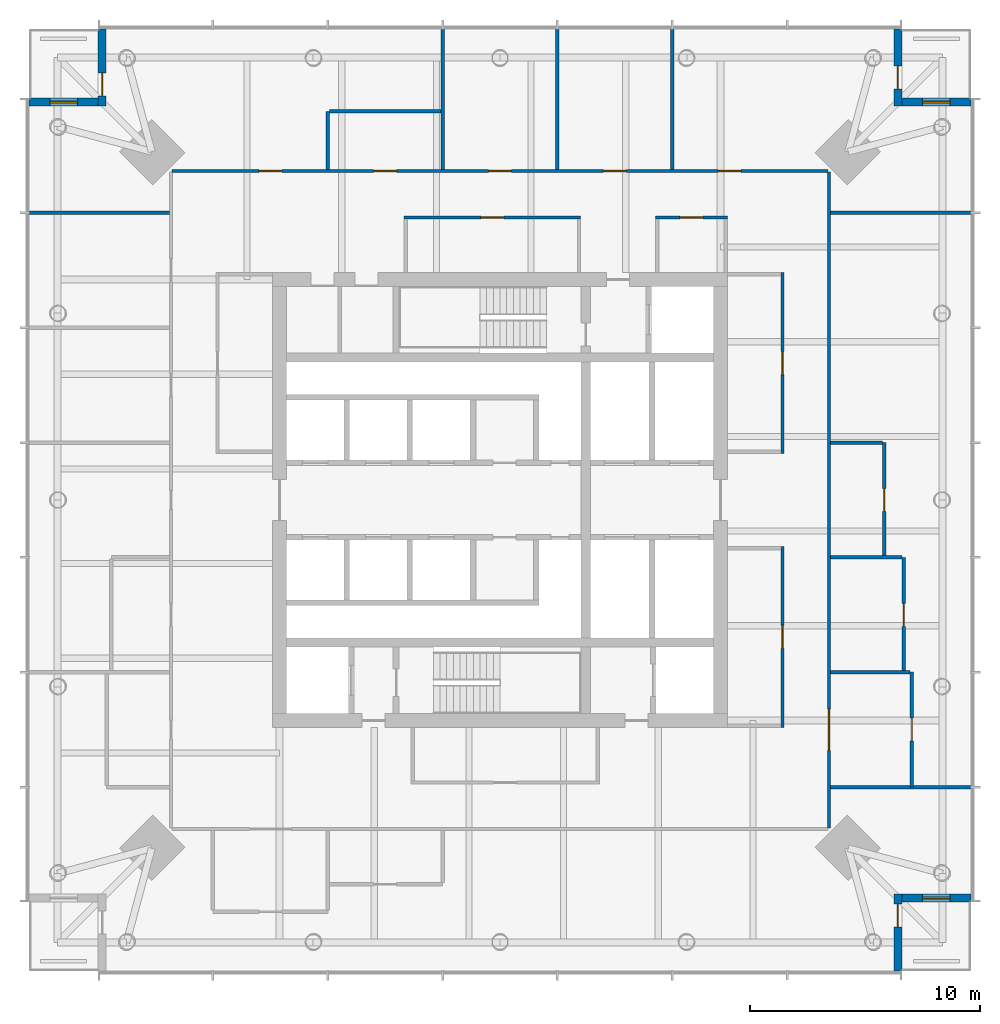
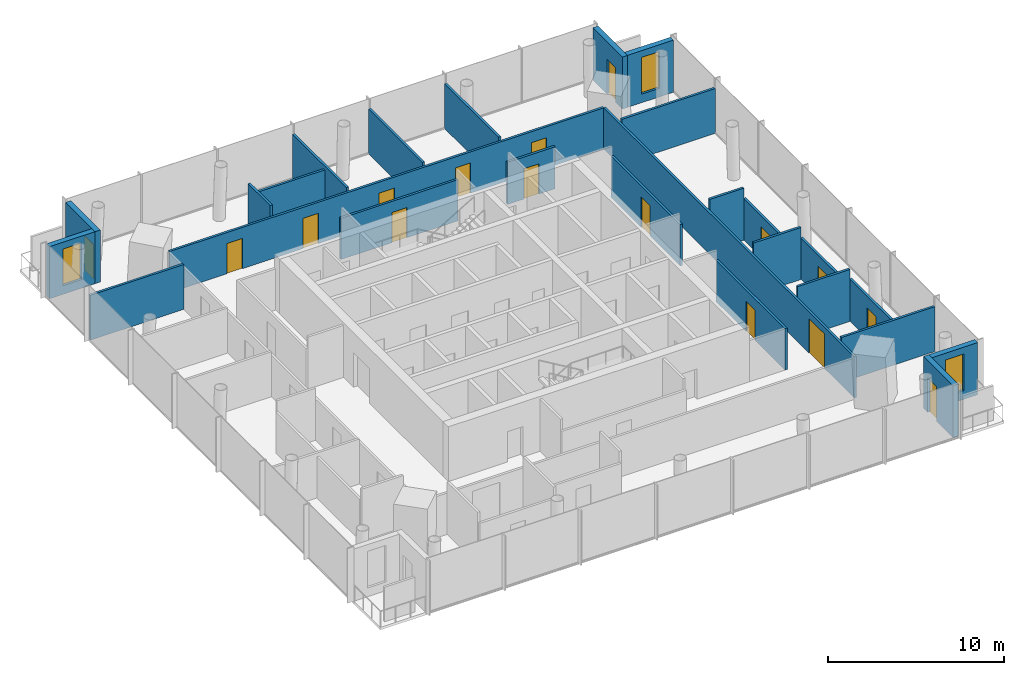
# One storey, part 6 of 8: 26 walls, 16 doors, 3 windows, 19 openings.
"""IFC4 building model written with IfcOpenShell, lengths in metres."""

import ifcopenshell
import ifcopenshell.guid

model = None  # the IFC model being written
_history = None  # IfcOwnerHistory: only IFC2X3 demands one
_inside = {}  # id of a spatial element -> (the spatial element, [elements in it])
_under = {}  # id of a project, library or spatial element -> (it, [spatial elements below it])
_declared = {}  # id of a project -> (the project, [libraries it declares])
_typed = {}  # id of a type object -> (the type object, [elements of that type])
_made_of = {}  # id of a material, layer set ... -> (it, [elements and type objects made of it])


def new_model(schema):
    """Start an empty IFC model of exactly this schema.

    Asked for "IFC4X3", IfcOpenShell would pick the latest addendum, in which some entities
    have other attributes; the version numbers below select the first issue.
    IFC2X3 requires an IfcOwnerHistory on every rooted entity: one is made here for all.
    """
    global model, _history
    if schema == "IFC4X3":
        model = ifcopenshell.file(schema_version=(4, 3, 0, 0))
    else:
        model = ifcopenshell.file(schema=schema)
    _inside.clear()
    _under.clear()
    _declared.clear()
    _typed.clear()
    _made_of.clear()
    _history = None
    if model.schema == "IFC2X3":
        org = make("IfcOrganization", Name="unknown")
        user = make(
            "IfcPersonAndOrganization",
            ThePerson=make("IfcPerson", FamilyName="unknown"),
            TheOrganization=org,
        )
        app = make(
            "IfcApplication",
            ApplicationDeveloper=org,
            Version="unknown",
            ApplicationFullName="unknown",
            ApplicationIdentifier="unknown",
        )
        _history = make(
            "IfcOwnerHistory",
            OwningUser=user,
            OwningApplication=app,
            ChangeAction="ADDED",
            CreationDate=0,
        )
    return model


def make(cls, **values):
    """One entity of the class cls with the attributes given. An attribute that is None is left unset."""
    return model.create_entity(
        cls, **{name: value for name, value in values.items() if value is not None}
    )


def rooted(cls, **values):
    """An entity with a GlobalId (a new one), such as an element, a storey or a relation."""
    return make(cls, GlobalId=ifcopenshell.guid.new(), OwnerHistory=_history, **values)


def si_unit(unit_type, name, prefix=None):
    """IfcSIUnit, for example si_unit("LENGTHUNIT", "METRE", prefix="MILLI")."""
    return make("IfcSIUnit", UnitType=unit_type, Prefix=prefix, Name=name)


def assignment(units):
    """IfcUnitAssignment: the units of a project."""
    return None if units is None else make("IfcUnitAssignment", Units=units)


def point(xyz):
    """IfcCartesianPoint."""
    return None if xyz is None else make("IfcCartesianPoint", Coordinates=xyz)


def direction(xyz):
    """IfcDirection."""
    return None if xyz is None else make("IfcDirection", DirectionRatios=xyz)


def frame(location, z_axis=None, x_axis=None):
    """IfcAxis2Placement3D, a coordinate frame: its origin and axes. An axis left out is left unset."""
    return make(
        "IfcAxis2Placement3D",
        Location=point(location),
        Axis=direction(z_axis),
        RefDirection=direction(x_axis),
    )


def frame_2d(location, x_axis=None):
    """IfcAxis2Placement2D, a coordinate frame in the plane: its origin and x axis."""
    return make(
        "IfcAxis2Placement2D", Location=point(location), RefDirection=direction(x_axis)
    )


def origin():
    """The frame at (0, 0, 0) with its axes left unset."""
    return frame((0.0, 0.0, 0.0))


def place(relative_to, where):
    """IfcLocalPlacement: puts the frame where relative to a parent placement (None: the world)."""
    return make(
        "IfcLocalPlacement", PlacementRelTo=relative_to, RelativePlacement=where
    )


def context(
    kind, dimensions, precision=None, world=None, true_north=None, identifier=None
):
    """IfcGeometricRepresentationContext, for example the 3D "Model" context."""
    return make(
        "IfcGeometricRepresentationContext",
        ContextIdentifier=identifier,
        ContextType=kind,
        CoordinateSpaceDimension=dimensions,
        Precision=precision,
        WorldCoordinateSystem=world,
        TrueNorth=true_north,
    )


def subcontext(parent, identifier, kind, view, scale=None):
    """IfcGeometricRepresentationSubContext, for example "Body" below "Model"."""
    return make(
        "IfcGeometricRepresentationSubContext",
        ContextIdentifier=identifier,
        ContextType=kind,
        ParentContext=parent,
        TargetScale=scale,
        TargetView=view,
    )


def project(units=None, contexts=None):
    """IfcProject with its units and contexts."""
    return rooted(
        "IfcProject",
        Name="project",
        RepresentationContexts=contexts,
        UnitsInContext=assignment(units),
    )


def spatial(cls, under=None, at=None, **own):
    """A site, building, storey or space (cls), placed at a placement, below another one or the project."""
    s = rooted(cls, ObjectPlacement=at, **own)
    if under is not None:
        _under.setdefault(under.id(), (under, []))[1].append(s)
    return s


def profile(cls, at=None, kind="AREA", **sizes):
    """A parametric profile (cls). Its sizes go by their IFC names, for example OverallWidth=200.0."""
    return make(cls, ProfileType=kind, Position=at, **sizes)


def rectangle(**sizes):
    """IfcRectangleProfileDef."""
    return profile("IfcRectangleProfileDef", **sizes)


def extrude(swept, where, along, depth):
    """IfcExtrudedAreaSolid: the profile swept, set in the frame where, extruded along a direction by depth."""
    return make(
        "IfcExtrudedAreaSolid",
        SweptArea=swept,
        Position=where,
        ExtrudedDirection=direction(along),
        Depth=depth,
    )


def shape(context_of_items, identifier, shape_type, items):
    """IfcShapeRepresentation: the items that make up one representation, for example the "Body"."""
    return make(
        "IfcShapeRepresentation",
        ContextOfItems=context_of_items,
        RepresentationIdentifier=identifier,
        RepresentationType=shape_type,
        Items=items,
    )


def material(Name=None, Category=None):
    """IfcMaterial."""
    return make("IfcMaterial", Name=Name, Category=Category)


def layer(
    of_material, thickness, ventilated=None, Name=None, Category=None, Priority=None
):
    """IfcMaterialLayer: one layer of a wall or slab, of a material (None: an air gap)."""
    return make(
        "IfcMaterialLayer",
        Material=of_material,
        LayerThickness=thickness,
        IsVentilated=ventilated,
        Name=Name,
        Category=Category,
        Priority=Priority,
    )


def layer_set(layers, Name=None):
    """IfcMaterialLayerSet."""
    return make("IfcMaterialLayerSet", MaterialLayers=layers, LayerSetName=Name)


def made_of(thing, what):
    """Note that an element or type object is made of a material, layer set ...; save() writes the relation."""
    if what is not None:
        _made_of.setdefault(what.id(), (what, []))[1].append(thing)
    return thing


def type_object(cls, material=None, **own):
    """A type object (cls), such as IfcWallType, which elements share."""
    return made_of(rooted(cls, **own), material)


def element(
    cls,
    number,
    at=None,
    inside=None,
    cuts=None,
    type_object=None,
    material=None,
    context=None,
    identifier="Body",
    shape_type=None,
    held_by="IfcProductDefinitionShape",
    body=None,
    shapes=None,
    **own,
):
    """One element of the class cls, such as IfcWall. Its Tag is "e" and its number.

    at: its placement. inside: the storey or other place that contains it. cuts: it is an
    opening in that element (IfcRelVoidsElement). A single representation is given by context,
    identifier, shape_type and body (its items); several are given by shapes. held_by: the class
    of the entity that holds the representations. save() writes the other relations.
    """
    e = rooted(cls, Tag="e%d" % number, ObjectPlacement=at, **own)
    if body is not None:
        shapes = [shape(context, identifier, shape_type, body)]
    if shapes is not None:
        e.Representation = make(held_by, Representations=shapes)
    if inside is not None:
        _inside.setdefault(inside.id(), (inside, []))[1].append(e)
    if cuts is not None:
        rooted(
            "IfcRelVoidsElement", RelatingBuildingElement=cuts, RelatedOpeningElement=e
        )
    if type_object is not None:
        _typed.setdefault(type_object.id(), (type_object, []))[1].append(e)
    return made_of(e, material)


def fill(opening, filler):
    """IfcRelFillsElement: the door or window that sits in an opening."""
    return rooted(
        "IfcRelFillsElement",
        RelatingOpeningElement=opening,
        RelatedBuildingElement=filler,
    )


def aggregate(whole, parts):
    """IfcRelAggregates: a whole, such as a stair, and the parts it consists of."""
    return rooted("IfcRelAggregates", RelatingObject=whole, RelatedObjects=parts)


def save(model, path):
    """Write the relations noted so far, then the file.

    IfcRelAggregates (storeys below a building ...), IfcRelContainedInSpatialStructure (elements
    in a storey), IfcRelDefinesByType, IfcRelAssociatesMaterial and IfcRelDeclares: one each for
    every whole, place, type object, material and project.
    """
    for whole, parts in _under.values():
        aggregate(whole, parts)
    for where, things in _inside.values():
        rooted(
            "IfcRelContainedInSpatialStructure",
            RelatedElements=things,
            RelatingStructure=where,
        )
    for kind, things in _typed.values():
        rooted("IfcRelDefinesByType", RelatedObjects=things, RelatingType=kind)
    for what, things in _made_of.values():
        rooted("IfcRelAssociatesMaterial", RelatedObjects=things, RelatingMaterial=what)
    for by, libraries in _declared.values():
        rooted("IfcRelDeclares", RelatingContext=by, RelatedDefinitions=libraries)
    model.write(path)


model = new_model("IFC4")

# Units and contexts
model_context = context("Model", 3, precision=1e-05, world=origin(), true_north=direction((0.0, 1.0)))
body_context = subcontext(model_context, "Body", "Model", "MODEL_VIEW")
ifc_project = project(units=[si_unit("LENGTHUNIT", "METRE"), si_unit("AREAUNIT", "SQUARE_METRE"), si_unit("VOLUMEUNIT", "CUBIC_METRE"), si_unit("PLANEANGLEUNIT", "RADIAN"), si_unit("MASSUNIT", "GRAM", prefix="KILO")], contexts=[model_context])

# Site, building, storey
site_placement = place(None, origin())
site = spatial("IfcSite", under=ifc_project, at=site_placement, CompositionType="ELEMENT")
building_placement = place(site_placement, origin())
building = spatial("IfcBuilding", under=site, at=building_placement, Name="Ostroluk Exchange", CompositionType="ELEMENT")
storey_placement = place(building_placement, frame((0.0, 0.0, 169.199951171875)))
storey = spatial("IfcBuildingStorey", under=building, at=storey_placement, Name="L43", CompositionType="ELEMENT", Elevation=169.199951171875)

# Wall, opening, door
ifc_material_1 = material(Name="Limestone", Category="masonry")
ifc_layer_1 = layer(ifc_material_1, 0.35009765625)
ifc_layer_set_1 = layer_set([ifc_layer_1], Name="Limestone facade wall 350")
wall_type_1 = type_object("IfcWallType", Name="Limestone facade wall 350", PredefinedType="SOLIDWALL", material=ifc_layer_set_1)
wall_1_placement = place(storey_placement, frame((62.324951171875, 25.5, 0.0), z_axis=(0.0, 0.0, 1.0), x_axis=(0.0, 1.0, 0.0)))
wall_1 = element("IfcWall", 1, at=wall_1_placement, inside=storey, type_object=wall_type_1, Name="Office tower SE corner wall L43 a", PredefinedType="SOLIDWALL", context=body_context, shape_type="SweptSolid", body=[
    extrude(rectangle(XDim=3.35009765625, YDim=0.35009765625, at=frame_2d((1.675048828125, 0.0))), origin(), (0.0, 0.0, 1.0), 3.6201171875),
])
opening_1_placement = place(wall_1_placement, frame((1.89990234375, 0.0, 0.0)))
opening_1 = element("IfcOpeningElement", 2, at=opening_1_placement, cuts=wall_1, Name="Opening D-B1", PredefinedType="OPENING", context=body_context, shape_type="SweptSolid", body=[
    extrude(rectangle(XDim=1.0, YDim=2.39990234375, at=frame_2d((0.5, 1.199951171875))), frame((0.0, 0.18505859375, 0.0), z_axis=(0.0, -1.0, 0.0), x_axis=(1.0, 0.0, 0.0)), (0.0, 0.0, 1.0), 0.3701171875),
])
ifc_material_2 = material(Name="Bronze framed glazed door", Category="aluminium")
door_type_1 = type_object("IfcDoorType", Name="Balcony door 1000 x 2400", OperationType="SINGLE_SWING_LEFT", PredefinedType="DOOR", material=ifc_material_2)
door_1_placement = place(opening_1_placement, origin())
door_1 = element("IfcDoor", 3, at=door_1_placement, inside=storey, type_object=door_type_1, Name="Office tower SE balcony door L43", OperationType="SINGLE_SWING_RIGHT", OverallHeight=2.39990234375, OverallWidth=1.0, PredefinedType="DOOR", context=body_context, shape_type="SweptSolid", body=[
    extrude(rectangle(XDim=1.0, YDim=2.39990234375, at=frame_2d((0.5, 1.199951171875))), frame((0.0, 0.02490234375, 0.0), z_axis=(0.0, -1.0, 0.0), x_axis=(1.0, 0.0, 0.0)), (0.0, 0.0, 1.0), 0.050048828125),
])
fill(opening_1, door_1)

# Wall, opening, window
wall_2_placement = place(storey_placement, frame((62.5, 28.675048828125, 0.0), z_axis=(0.0, 0.0, 1.0), x_axis=(1.0, 0.0, 0.0)))
wall_2 = element("IfcWall", 4, at=wall_2_placement, inside=storey, type_object=wall_type_1, Name="Office tower SE corner wall L43 b", PredefinedType="SOLIDWALL", context=body_context, shape_type="SweptSolid", body=[
    extrude(rectangle(XDim=3.0, YDim=0.35009765625, at=frame_2d((1.5, 0.0))), origin(), (0.0, 0.0, 1.0), 3.6201171875),
])
opening_2_placement = place(wall_2_placement, frame((0.89990234375, 0.0, 0.60009765625)))
opening_2 = element("IfcOpeningElement", 5, at=opening_2_placement, cuts=wall_2, Name="Opening WN-L1", PredefinedType="OPENING", context=body_context, shape_type="SweptSolid", body=[
    extrude(rectangle(XDim=1.199951171875, YDim=2.550048828125, at=frame_2d((0.60009765625, 1.27490234375))), frame((0.0, 0.18505859375, 0.0), z_axis=(0.0, -1.0, 0.0), x_axis=(1.0, 0.0, 0.0)), (0.0, 0.0, 1.0), 0.3701171875),
])
ifc_material_3 = material(Name="Laminated clear glass", Category="glass")
window_type = type_object("IfcWindowType", Name="Lancet window 1200 x 2550", PartitioningType="SINGLE_PANEL", PredefinedType="WINDOW", material=ifc_material_3)
window_1_placement = place(opening_2_placement, origin())
window_1 = element("IfcWindow", 6, at=window_1_placement, inside=storey, type_object=window_type, Name="Office tower SE lancet window L43", OverallHeight=2.550048828125, OverallWidth=1.199951171875, PartitioningType="SINGLE_PANEL", PredefinedType="WINDOW", context=body_context, shape_type="SweptSolid", body=[
    extrude(rectangle(XDim=1.199951171875, YDim=2.550048828125, at=frame_2d((0.60009765625, 1.27490234375))), frame((0.0, 0.030029296875, 0.0), z_axis=(0.0, -1.0, 0.0), x_axis=(1.0, 0.0, 0.0)), (0.0, 0.0, 1.0), 0.06005859375),
])
fill(opening_2, window_1)

# Wall, opening, door
wall_3_placement = place(storey_placement, frame((62.324951171875, 66.5, 0.0), z_axis=(0.0, 0.0, 1.0), x_axis=(0.0, -1.0, 0.0)))
wall_3 = element("IfcWall", 7, at=wall_3_placement, inside=storey, type_object=wall_type_1, Name="Office tower NE corner wall L43 a", PredefinedType="SOLIDWALL", context=body_context, shape_type="SweptSolid", body=[
    extrude(rectangle(XDim=3.35009765625, YDim=0.35009765625, at=frame_2d((1.675048828125, 0.0))), origin(), (0.0, 0.0, 1.0), 3.6201171875),
])
opening_3_placement = place(wall_3_placement, frame((1.60009765625, 0.0, 0.0)))
opening_3 = element("IfcOpeningElement", 8, at=opening_3_placement, cuts=wall_3, Name="Opening D-B1", PredefinedType="OPENING", context=body_context, shape_type="SweptSolid", body=[
    extrude(rectangle(XDim=1.0, YDim=2.39990234375, at=frame_2d((0.5, 1.199951171875))), frame((0.0, 0.18505859375, 0.0), z_axis=(0.0, -1.0, 0.0), x_axis=(1.0, 0.0, 0.0)), (0.0, 0.0, 1.0), 0.3701171875),
])
door_2_placement = place(opening_3_placement, origin())
door_2 = element("IfcDoor", 9, at=door_2_placement, inside=storey, type_object=door_type_1, Name="Office tower NE balcony door L43", OperationType="SINGLE_SWING_RIGHT", OverallHeight=2.39990234375, OverallWidth=1.0, PredefinedType="DOOR", context=body_context, shape_type="SweptSolid", body=[
    extrude(rectangle(XDim=1.0, YDim=2.39990234375, at=frame_2d((0.5, 1.199951171875))), frame((0.0, 0.02490234375, 0.0), z_axis=(0.0, -1.0, 0.0), x_axis=(1.0, 0.0, 0.0)), (0.0, 0.0, 1.0), 0.050048828125),
])
fill(opening_3, door_2)

# Wall, opening, window
wall_4_placement = place(storey_placement, frame((62.5, 63.324951171875, 0.0), z_axis=(0.0, 0.0, 1.0), x_axis=(1.0, 0.0, 0.0)))
wall_4 = element("IfcWall", 10, at=wall_4_placement, inside=storey, type_object=wall_type_1, Name="Office tower NE corner wall L43 b", PredefinedType="SOLIDWALL", context=body_context, shape_type="SweptSolid", body=[
    extrude(rectangle(XDim=3.0, YDim=0.35009765625, at=frame_2d((1.5, 0.0))), origin(), (0.0, 0.0, 1.0), 3.6201171875),
])
opening_4_placement = place(wall_4_placement, frame((0.89990234375, 0.0, 0.60009765625)))
opening_4 = element("IfcOpeningElement", 11, at=opening_4_placement, cuts=wall_4, Name="Opening WN-L1", PredefinedType="OPENING", context=body_context, shape_type="SweptSolid", body=[
    extrude(rectangle(XDim=1.199951171875, YDim=2.550048828125, at=frame_2d((0.60009765625, 1.27490234375))), frame((0.0, 0.18505859375, 0.0), z_axis=(0.0, -1.0, 0.0), x_axis=(1.0, 0.0, 0.0)), (0.0, 0.0, 1.0), 0.3701171875),
])
window_2_placement = place(opening_4_placement, origin())
window_2 = element("IfcWindow", 12, at=window_2_placement, inside=storey, type_object=window_type, Name="Office tower NE lancet window L43", OverallHeight=2.550048828125, OverallWidth=1.199951171875, PartitioningType="SINGLE_PANEL", PredefinedType="WINDOW", context=body_context, shape_type="SweptSolid", body=[
    extrude(rectangle(XDim=1.199951171875, YDim=2.550048828125, at=frame_2d((0.60009765625, 1.27490234375))), frame((0.0, 0.030029296875, 0.0), z_axis=(0.0, -1.0, 0.0), x_axis=(1.0, 0.0, 0.0)), (0.0, 0.0, 1.0), 0.06005859375),
])
fill(opening_4, window_2)

# Wall, opening, door
wall_5_placement = place(storey_placement, frame((27.675048828125, 66.5, 0.0), z_axis=(0.0, 0.0, 1.0), x_axis=(0.0, -1.0, 0.0)))
wall_5 = element("IfcWall", 13, at=wall_5_placement, inside=storey, type_object=wall_type_1, Name="Office tower NW corner wall L43 a", PredefinedType="SOLIDWALL", context=body_context, shape_type="SweptSolid", body=[
    extrude(rectangle(XDim=3.35009765625, YDim=0.35009765625, at=frame_2d((1.675048828125, 0.0))), origin(), (0.0, 0.0, 1.0), 3.6201171875),
])
opening_5_placement = place(wall_5_placement, frame((1.89990234375, 0.0, 0.0)))
opening_5 = element("IfcOpeningElement", 14, at=opening_5_placement, cuts=wall_5, Name="Opening D-B1", PredefinedType="OPENING", context=body_context, shape_type="SweptSolid", body=[
    extrude(rectangle(XDim=1.0, YDim=2.39990234375, at=frame_2d((0.5, 1.199951171875))), frame((0.0, 0.18505859375, 0.0), z_axis=(0.0, -1.0, 0.0), x_axis=(1.0, 0.0, 0.0)), (0.0, 0.0, 1.0), 0.3701171875),
])
door_3_placement = place(opening_5_placement, origin())
door_3 = element("IfcDoor", 15, at=door_3_placement, inside=storey, type_object=door_type_1, Name="Office tower NW balcony door L43", OperationType="SINGLE_SWING_RIGHT", OverallHeight=2.39990234375, OverallWidth=1.0, PredefinedType="DOOR", context=body_context, shape_type="SweptSolid", body=[
    extrude(rectangle(XDim=1.0, YDim=2.39990234375, at=frame_2d((0.5, 1.199951171875))), frame((0.0, 0.02490234375, 0.0), z_axis=(0.0, -1.0, 0.0), x_axis=(1.0, 0.0, 0.0)), (0.0, 0.0, 1.0), 0.050048828125),
])
fill(opening_5, door_3)

# Wall, opening, window
wall_6_placement = place(storey_placement, frame((27.5, 63.324951171875, 0.0), z_axis=(0.0, 0.0, 1.0), x_axis=(-1.0, 0.0, 0.0)))
wall_6 = element("IfcWall", 16, at=wall_6_placement, inside=storey, type_object=wall_type_1, Name="Office tower NW corner wall L43 b", PredefinedType="SOLIDWALL", context=body_context, shape_type="SweptSolid", body=[
    extrude(rectangle(XDim=3.0, YDim=0.35009765625, at=frame_2d((1.5, 0.0))), origin(), (0.0, 0.0, 1.0), 3.6201171875),
])
opening_6_placement = place(wall_6_placement, frame((0.89990234375, 0.0, 0.60009765625)))
opening_6 = element("IfcOpeningElement", 17, at=opening_6_placement, cuts=wall_6, Name="Opening WN-L1", PredefinedType="OPENING", context=body_context, shape_type="SweptSolid", body=[
    extrude(rectangle(XDim=1.199951171875, YDim=2.550048828125, at=frame_2d((0.60009765625, 1.27490234375))), frame((0.0, 0.18505859375, 0.0), z_axis=(0.0, -1.0, 0.0), x_axis=(1.0, 0.0, 0.0)), (0.0, 0.0, 1.0), 0.3701171875),
])
window_3_placement = place(opening_6_placement, origin())
window_3 = element("IfcWindow", 18, at=window_3_placement, inside=storey, type_object=window_type, Name="Office tower NW lancet window L43", OverallHeight=2.550048828125, OverallWidth=1.199951171875, PartitioningType="SINGLE_PANEL", PredefinedType="WINDOW", context=body_context, shape_type="SweptSolid", body=[
    extrude(rectangle(XDim=1.199951171875, YDim=2.550048828125, at=frame_2d((0.60009765625, 1.27490234375))), frame((0.0, 0.030029296875, 0.0), z_axis=(0.0, -1.0, 0.0), x_axis=(1.0, 0.0, 0.0)), (0.0, 0.0, 1.0), 0.06005859375),
])
fill(opening_6, window_3)

# Wall, opening, door
ifc_material_4 = material(Name="Gypsum plasterboard partition", Category="gypsum")
ifc_layer_2 = layer(ifc_material_4, 0.14990234375)
ifc_layer_set_2 = layer_set([ifc_layer_2], Name="Plasterboard partition 150")
wall_type_2 = type_object("IfcWallType", Name="Plasterboard partition 150", PredefinedType="PARTITIONING", material=ifc_layer_set_2)
wall_7_placement = place(storey_placement, frame((57.300048828125, 36.10009765625, 0.0), z_axis=(0.0, 0.0, 1.0), x_axis=(0.0, 1.0, 0.0)))
wall_7 = element("IfcWall", 19, at=wall_7_placement, inside=storey, type_object=wall_type_2, Name="Partition", PredefinedType="PARTITIONING", context=body_context, shape_type="SweptSolid", body=[
    extrude(rectangle(XDim=7.875, YDim=0.14990234375, at=frame_2d((3.9375, 0.0))), origin(), (0.0, 0.0, 1.0), 2.866943359375),
])
opening_7_placement = place(wall_7_placement, frame((3.4375, 0.0, 0.0)))
opening_7 = element("IfcOpeningElement", 20, at=opening_7_placement, cuts=wall_7, Name="Opening D-03", PredefinedType="OPENING", context=body_context, shape_type="SweptSolid", body=[
    extrude(rectangle(XDim=1.0, YDim=2.10009765625, at=frame_2d((0.5, 1.050048828125))), frame((0.0, 0.0849609375, 0.0), z_axis=(0.0, -1.0, 0.0), x_axis=(1.0, 0.0, 0.0)), (0.0, 0.0, 1.0), 0.169921875),
])
ifc_material_5 = material(Name="Timber", Category="wood")
door_type_2 = type_object("IfcDoorType", Name="Internal door 1000 x 2100", OperationType="SINGLE_SWING_LEFT", PredefinedType="DOOR", material=ifc_material_5)
door_4_placement = place(opening_7_placement, origin())
door_4 = element("IfcDoor", 21, at=door_4_placement, inside=storey, type_object=door_type_2, Name="Meeting room door", OperationType="SINGLE_SWING_LEFT", OverallHeight=2.10009765625, OverallWidth=1.0, PredefinedType="DOOR", context=body_context, shape_type="SweptSolid", body=[
    extrude(rectangle(XDim=1.0, YDim=2.10009765625, at=frame_2d((0.5, 1.050048828125))), frame((0.0, 0.02490234375, 0.0), z_axis=(0.0, -1.0, 0.0), x_axis=(1.0, 0.0, 0.0)), (0.0, 0.0, 1.0), 0.050048828125),
])
fill(opening_7, door_4)

wall_8_placement = place(storey_placement, frame((57.300048828125, 48.02490234375, 0.0), z_axis=(0.0, 0.0, 1.0), x_axis=(0.0, 1.0, 0.0)))
wall_8 = element("IfcWall", 22, at=wall_8_placement, inside=storey, type_object=wall_type_2, Name="Partition", PredefinedType="PARTITIONING", context=body_context, shape_type="SweptSolid", body=[
    extrude(rectangle(XDim=7.875, YDim=0.14990234375, at=frame_2d((3.9375, 0.0))), origin(), (0.0, 0.0, 1.0), 2.866943359375),
])
opening_8_placement = place(wall_8_placement, frame((3.4375, 0.0, 0.0)))
opening_8 = element("IfcOpeningElement", 23, at=opening_8_placement, cuts=wall_8, Name="Opening D-03", PredefinedType="OPENING", context=body_context, shape_type="SweptSolid", body=[
    extrude(rectangle(XDim=1.0, YDim=2.10009765625, at=frame_2d((0.5, 1.050048828125))), frame((0.0, 0.0849609375, 0.0), z_axis=(0.0, -1.0, 0.0), x_axis=(1.0, 0.0, 0.0)), (0.0, 0.0, 1.0), 0.169921875),
])
door_5_placement = place(opening_8_placement, origin())
door_5 = element("IfcDoor", 24, at=door_5_placement, inside=storey, type_object=door_type_2, Name="Meeting room door", OperationType="SINGLE_SWING_LEFT", OverallHeight=2.10009765625, OverallWidth=1.0, PredefinedType="DOOR", context=body_context, shape_type="SweptSolid", body=[
    extrude(rectangle(XDim=1.0, YDim=2.10009765625, at=frame_2d((0.5, 1.050048828125))), frame((0.0, 0.02490234375, 0.0), z_axis=(0.0, -1.0, 0.0), x_axis=(1.0, 0.0, 0.0)), (0.0, 0.0, 1.0), 0.050048828125),
])
fill(opening_8, door_5)

wall_9_placement = place(storey_placement, frame((54.89990234375, 58.300048828125, 0.0), z_axis=(0.0, 0.0, 1.0), x_axis=(-1.0, 0.0, 0.0)))
wall_9 = element("IfcWall", 25, at=wall_9_placement, inside=storey, type_object=wall_type_2, Name="Partition", PredefinedType="PARTITIONING", context=body_context, shape_type="SweptSolid", body=[
    extrude(rectangle(XDim=3.135009765625, YDim=0.14990234375, at=frame_2d((1.5673828125, 0.0))), origin(), (0.0, 0.0, 1.0), 2.920166015625),
])
opening_9_placement = place(wall_9_placement, frame((1.0673828125, 0.0, 0.0)))
opening_9 = element("IfcOpeningElement", 26, at=opening_9_placement, cuts=wall_9, Name="Opening D-03", PredefinedType="OPENING", context=body_context, shape_type="SweptSolid", body=[
    extrude(rectangle(XDim=1.0, YDim=2.10009765625, at=frame_2d((0.5, 1.050048828125))), frame((0.0, 0.0849609375, 0.0), z_axis=(0.0, -1.0, 0.0), x_axis=(1.0, 0.0, 0.0)), (0.0, 0.0, 1.0), 0.169921875),
])
door_6_placement = place(opening_9_placement, origin())
door_6 = element("IfcDoor", 27, at=door_6_placement, inside=storey, type_object=door_type_2, Name="Meeting room door", OperationType="SINGLE_SWING_RIGHT", OverallHeight=2.10009765625, OverallWidth=1.0, PredefinedType="DOOR", context=body_context, shape_type="SweptSolid", body=[
    extrude(rectangle(XDim=1.0, YDim=2.10009765625, at=frame_2d((0.5, 1.050048828125))), frame((0.0, 0.02490234375, 0.0), z_axis=(0.0, -1.0, 0.0), x_axis=(1.0, 0.0, 0.0)), (0.0, 0.0, 1.0), 0.050048828125),
])
fill(opening_9, door_6)

wall_10_placement = place(storey_placement, frame((48.514892578125, 58.300048828125, 0.0), z_axis=(0.0, 0.0, 1.0), x_axis=(-1.0, 0.0, 0.0)))
wall_10 = element("IfcWall", 28, at=wall_10_placement, inside=storey, type_object=wall_type_2, Name="Partition", PredefinedType="PARTITIONING", context=body_context, shape_type="SweptSolid", body=[
    extrude(rectangle(XDim=7.702392578125, YDim=0.14990234375, at=frame_2d((3.85107421875, 0.0))), origin(), (0.0, 0.0, 1.0), 2.866943359375),
])
opening_10_placement = place(wall_10_placement, frame((3.351318359375, 0.0, 0.0)))
opening_10 = element("IfcOpeningElement", 29, at=opening_10_placement, cuts=wall_10, Name="Opening D-03", PredefinedType="OPENING", context=body_context, shape_type="SweptSolid", body=[
    extrude(rectangle(XDim=1.0, YDim=2.10009765625, at=frame_2d((0.5, 1.050048828125))), frame((0.0, 0.0849609375, 0.0), z_axis=(0.0, -1.0, 0.0), x_axis=(1.0, 0.0, 0.0)), (0.0, 0.0, 1.0), 0.169921875),
])
door_7_placement = place(opening_10_placement, origin())
door_7 = element("IfcDoor", 30, at=door_7_placement, inside=storey, type_object=door_type_2, Name="Meeting room door", OperationType="SINGLE_SWING_LEFT", OverallHeight=2.10009765625, OverallWidth=1.0, PredefinedType="DOOR", context=body_context, shape_type="SweptSolid", body=[
    extrude(rectangle(XDim=1.0, YDim=2.10009765625, at=frame_2d((0.5, 1.050048828125))), frame((0.0, 0.02490234375, 0.0), z_axis=(0.0, -1.0, 0.0), x_axis=(1.0, 0.0, 0.0)), (0.0, 0.0, 1.0), 0.050048828125),
])
fill(opening_10, door_7)

wall_11_placement = place(storey_placement, frame((59.324951171875, 31.728515625, 0.0), z_axis=(0.0, 0.0, 1.0), x_axis=(0.0, 1.0, 0.0)))
wall_11 = element("IfcWall", 31, at=wall_11_placement, inside=storey, type_object=wall_type_2, Name="Partition", PredefinedType="PARTITIONING", context=body_context, shape_type="SweptSolid", body=[
    extrude(rectangle(XDim=28.54296875, YDim=0.14990234375, at=frame_2d((14.271484375, 0.0))), origin(), (0.0, 0.0, 1.0), 2.866943359375),
])
opening_11_placement = place(wall_11_placement, frame((3.37158203125, 0.0, 0.0)))
opening_11 = element("IfcOpeningElement", 32, at=opening_11_placement, cuts=wall_11, Name="Opening D-04", PredefinedType="OPENING", context=body_context, shape_type="SweptSolid", body=[
    extrude(rectangle(XDim=1.800048828125, YDim=2.39990234375, at=frame_2d((0.89990234375, 1.199951171875))), frame((0.0, 0.0849609375, 0.0), z_axis=(0.0, -1.0, 0.0), x_axis=(1.0, 0.0, 0.0)), (0.0, 0.0, 1.0), 0.169921875),
])
ifc_material_6 = material(Name="Timber", Category="wood")
door_type_3 = type_object("IfcDoorType", Name="Double door 1800 x 2400", OperationType="DOUBLE_DOOR_SINGLE_SWING", PredefinedType="DOOR", material=ifc_material_6)
door_8_placement = place(opening_11_placement, origin())
door_8 = element("IfcDoor", 33, at=door_8_placement, inside=storey, type_object=door_type_3, Name="Office reception door", OperationType="DOUBLE_DOOR_SINGLE_SWING", OverallHeight=2.39990234375, OverallWidth=1.800048828125, PredefinedType="DOOR", context=body_context, shape_type="SweptSolid", body=[
    extrude(rectangle(XDim=1.800048828125, YDim=2.39990234375, at=frame_2d((0.89990234375, 1.199951171875))), frame((0.0, 0.02490234375, 0.0), z_axis=(0.0, -1.0, 0.0), x_axis=(1.0, 0.0, 0.0)), (0.0, 0.0, 1.0), 0.050048828125),
])
fill(opening_11, door_8)

# Walls
for number, where, z_axis, x_axis, name in (
    (34, (59.39990234375, 33.5, 0.0), (0.0, 0.0, 1.0), (1.0, 0.0, 0.0), "Partition"),
    (35, (59.39990234375, 58.5, 0.0), (0.0, 0.0, 1.0), (1.0, 0.0, 0.0), "Partition"),
):
    element("IfcWall", number, at=place(storey_placement, frame(where, z_axis=z_axis, x_axis=x_axis)), inside=storey, type_object=wall_type_2, Name=name, PredefinedType="PARTITIONING", context=body_context, shape_type="SweptSolid", body=[
        extrude(rectangle(XDim=6.14013671875, YDim=0.14990234375, at=frame_2d((3.070068359375, 0.0))), origin(), (0.0, 0.0, 1.0), 3.1201171875),
    ])

# Wall, opening, door
wall_12_placement = place(storey_placement, frame((62.928466796875, 33.5, 0.0), z_axis=(0.0, 0.0, 1.0), x_axis=(0.0, 1.0, 0.0)))
wall_12 = element("IfcWall", 36, at=wall_12_placement, inside=storey, type_object=wall_type_2, Name="Partition", PredefinedType="PARTITIONING", context=body_context, shape_type="SweptSolid", body=[
    extrude(rectangle(XDim=5.0, YDim=0.14990234375, at=frame_2d((2.5, 0.0))), origin(), (0.0, 0.0, 1.0), 2.920166015625),
])
opening_12_placement = place(wall_12_placement, frame((2.0, 0.0, 0.0)))
opening_12 = element("IfcOpeningElement", 37, at=opening_12_placement, cuts=wall_12, Name="Opening D-03", PredefinedType="OPENING", context=body_context, shape_type="SweptSolid", body=[
    extrude(rectangle(XDim=1.0, YDim=2.10009765625, at=frame_2d((0.5, 1.050048828125))), frame((0.0, 0.0849609375, 0.0), z_axis=(0.0, -1.0, 0.0), x_axis=(1.0, 0.0, 0.0)), (0.0, 0.0, 1.0), 0.169921875),
])
door_9_placement = place(opening_12_placement, origin())
door_9 = element("IfcDoor", 38, at=door_9_placement, inside=storey, type_object=door_type_2, Name="Office reception door", OperationType="SINGLE_SWING_LEFT", OverallHeight=2.10009765625, OverallWidth=1.0, PredefinedType="DOOR", context=body_context, shape_type="SweptSolid", body=[
    extrude(rectangle(XDim=1.0, YDim=2.10009765625, at=frame_2d((0.5, 1.050048828125))), frame((0.0, 0.02490234375, 0.0), z_axis=(0.0, -1.0, 0.0), x_axis=(1.0, 0.0, 0.0)), (0.0, 0.0, 1.0), 0.050048828125),
])
fill(opening_12, door_9)

wall_13_placement = place(storey_placement, frame((62.585205078125, 38.5, 0.0), z_axis=(0.0, 0.0, 1.0), x_axis=(0.0, 1.0, 0.0)))
wall_13 = element("IfcWall", 39, at=wall_13_placement, inside=storey, type_object=wall_type_2, Name="Partition", PredefinedType="PARTITIONING", context=body_context, shape_type="SweptSolid", body=[
    extrude(rectangle(XDim=5.0, YDim=0.14990234375, at=frame_2d((2.5, 0.0))), origin(), (0.0, 0.0, 1.0), 2.866943359375),
])
opening_13_placement = place(wall_13_placement, frame((2.0, 0.0, 0.0)))
opening_13 = element("IfcOpeningElement", 40, at=opening_13_placement, cuts=wall_13, Name="Opening D-03", PredefinedType="OPENING", context=body_context, shape_type="SweptSolid", body=[
    extrude(rectangle(XDim=1.0, YDim=2.10009765625, at=frame_2d((0.5, 1.050048828125))), frame((0.0, 0.0849609375, 0.0), z_axis=(0.0, -1.0, 0.0), x_axis=(1.0, 0.0, 0.0)), (0.0, 0.0, 1.0), 0.169921875),
])
door_10_placement = place(opening_13_placement, origin())
door_10 = element("IfcDoor", 41, at=door_10_placement, inside=storey, type_object=door_type_2, Name="Meeting room door", OperationType="SINGLE_SWING_LEFT", OverallHeight=2.10009765625, OverallWidth=1.0, PredefinedType="DOOR", context=body_context, shape_type="SweptSolid", body=[
    extrude(rectangle(XDim=1.0, YDim=2.10009765625, at=frame_2d((0.5, 1.050048828125))), frame((0.0, 0.02490234375, 0.0), z_axis=(0.0, -1.0, 0.0), x_axis=(1.0, 0.0, 0.0)), (0.0, 0.0, 1.0), 0.050048828125),
])
fill(opening_13, door_10)

wall_14_placement = place(storey_placement, frame((61.727294921875, 43.5, 0.0), z_axis=(0.0, 0.0, 1.0), x_axis=(0.0, 1.0, 0.0)))
wall_14 = element("IfcWall", 42, at=wall_14_placement, inside=storey, type_object=wall_type_2, Name="Partition", PredefinedType="PARTITIONING", context=body_context, shape_type="SweptSolid", body=[
    extrude(rectangle(XDim=5.0, YDim=0.14990234375, at=frame_2d((2.5, 0.0))), origin(), (0.0, 0.0, 1.0), 2.866943359375),
])
opening_14_placement = place(wall_14_placement, frame((2.0, 0.0, 0.0)))
opening_14 = element("IfcOpeningElement", 43, at=opening_14_placement, cuts=wall_14, Name="Opening D-03", PredefinedType="OPENING", context=body_context, shape_type="SweptSolid", body=[
    extrude(rectangle(XDim=1.0, YDim=2.10009765625, at=frame_2d((0.5, 1.050048828125))), frame((0.0, 0.0849609375, 0.0), z_axis=(0.0, -1.0, 0.0), x_axis=(1.0, 0.0, 0.0)), (0.0, 0.0, 1.0), 0.169921875),
])
door_11_placement = place(opening_14_placement, origin())
door_11 = element("IfcDoor", 44, at=door_11_placement, inside=storey, type_object=door_type_2, Name="Pantry door", OperationType="SINGLE_SWING_LEFT", OverallHeight=2.10009765625, OverallWidth=1.0, PredefinedType="DOOR", context=body_context, shape_type="SweptSolid", body=[
    extrude(rectangle(XDim=1.0, YDim=2.10009765625, at=frame_2d((0.5, 1.050048828125))), frame((0.0, 0.02490234375, 0.0), z_axis=(0.0, -1.0, 0.0), x_axis=(1.0, 0.0, 0.0)), (0.0, 0.0, 1.0), 0.050048828125),
])
fill(opening_14, door_11)

# Walls
wall_15_placement = place(storey_placement, frame((59.39990234375, 38.5, 0.0), z_axis=(0.0, 0.0, 1.0), x_axis=(1.0, 0.0, 0.0)))
element("IfcWall", 45, at=wall_15_placement, inside=storey, type_object=wall_type_2, Name="Partition", PredefinedType="PARTITIONING", context=body_context, shape_type="SweptSolid", body=[
    extrude(rectangle(XDim=3.45361328125, YDim=0.14990234375, at=frame_2d((1.726806640625, 0.0))), origin(), (0.0, 0.0, 1.0), 3.6201171875),
])
wall_16_placement = place(storey_placement, frame((59.39990234375, 43.5, 0.0), z_axis=(0.0, 0.0, 1.0), x_axis=(1.0, 0.0, 0.0)))
element("IfcWall", 46, at=wall_16_placement, inside=storey, type_object=wall_type_2, Name="Partition", PredefinedType="PARTITIONING", context=body_context, shape_type="SweptSolid", body=[
    extrude(rectangle(XDim=3.1103515625, YDim=0.14990234375, at=frame_2d((1.55517578125, 0.0))), origin(), (0.0, 0.0, 1.0), 3.6201171875),
])
wall_17_placement = place(storey_placement, frame((59.39990234375, 48.5, 0.0), z_axis=(0.0, 0.0, 1.0), x_axis=(1.0, 0.0, 0.0)))
element("IfcWall", 47, at=wall_17_placement, inside=storey, type_object=wall_type_2, Name="Partition", PredefinedType="PARTITIONING", context=body_context, shape_type="SweptSolid", body=[
    extrude(rectangle(XDim=2.25244140625, YDim=0.14990234375, at=frame_2d((1.126220703125, 0.0))), origin(), (0.0, 0.0, 1.0), 3.6201171875),
])
wall_18_placement = place(storey_placement, frame((42.425048828125, 62.925048828125, 0.0), z_axis=(0.0, 0.0, 1.0), x_axis=(-1.0, 0.0, 0.0)))
element("IfcWall", 48, at=wall_18_placement, inside=storey, type_object=wall_type_2, Name="Partition", PredefinedType="PARTITIONING", context=body_context, shape_type="SweptSolid", body=[
    extrude(rectangle(XDim=4.85009765625, YDim=0.14990234375, at=frame_2d((2.425048828125, 0.0))), origin(), (0.0, 0.0, 1.0), 2.866943359375),
])

# Wall, openings, doors
wall_19_placement = place(storey_placement, frame((59.271484375, 60.324951171875, 0.0), z_axis=(0.0, 0.0, 1.0), x_axis=(-1.0, 0.0, 0.0)))
wall_19 = element("IfcWall", 49, at=wall_19_placement, inside=storey, type_object=wall_type_2, Name="Partition", PredefinedType="PARTITIONING", context=body_context, shape_type="SweptSolid", body=[
    extrude(rectangle(XDim=28.54296875, YDim=0.14990234375, at=frame_2d((14.271484375, 0.0))), origin(), (0.0, 0.0, 1.0), 2.866943359375),
])
opening_15_placement = place(wall_19_placement, frame((3.771484375, 0.0, 0.0)))
opening_15 = element("IfcOpeningElement", 50, at=opening_15_placement, cuts=wall_19, Name="Opening D-03", PredefinedType="OPENING", context=body_context, shape_type="SweptSolid", body=[
    extrude(rectangle(XDim=1.0, YDim=2.10009765625, at=frame_2d((0.5, 1.050048828125))), frame((0.0, 0.0849609375, 0.0), z_axis=(0.0, -1.0, 0.0), x_axis=(1.0, 0.0, 0.0)), (0.0, 0.0, 1.0), 0.169921875),
])
opening_16_placement = place(wall_19_placement, frame((8.771484375, 0.0, 0.0)))
opening_16 = element("IfcOpeningElement", 51, at=opening_16_placement, cuts=wall_19, Name="Opening D-03", PredefinedType="OPENING", context=body_context, shape_type="SweptSolid", body=[
    extrude(rectangle(XDim=1.0, YDim=2.10009765625, at=frame_2d((0.5, 1.050048828125))), frame((0.0, 0.0849609375, 0.0), z_axis=(0.0, -1.0, 0.0), x_axis=(1.0, 0.0, 0.0)), (0.0, 0.0, 1.0), 0.169921875),
])
opening_17_placement = place(wall_19_placement, frame((13.771484375, 0.0, 0.0)))
opening_17 = element("IfcOpeningElement", 52, at=opening_17_placement, cuts=wall_19, Name="Opening D-03", PredefinedType="OPENING", context=body_context, shape_type="SweptSolid", body=[
    extrude(rectangle(XDim=1.0, YDim=2.10009765625, at=frame_2d((0.5, 1.050048828125))), frame((0.0, 0.0849609375, 0.0), z_axis=(0.0, -1.0, 0.0), x_axis=(1.0, 0.0, 0.0)), (0.0, 0.0, 1.0), 0.169921875),
])
opening_18_placement = place(wall_19_placement, frame((18.771484375, 0.0, 0.0)))
opening_18 = element("IfcOpeningElement", 53, at=opening_18_placement, cuts=wall_19, Name="Opening D-03", PredefinedType="OPENING", context=body_context, shape_type="SweptSolid", body=[
    extrude(rectangle(XDim=1.0, YDim=2.10009765625, at=frame_2d((0.5, 1.050048828125))), frame((0.0, 0.0849609375, 0.0), z_axis=(0.0, -1.0, 0.0), x_axis=(1.0, 0.0, 0.0)), (0.0, 0.0, 1.0), 0.169921875),
])
opening_19_placement = place(wall_19_placement, frame((23.771484375, 0.0, 0.0)))
opening_19 = element("IfcOpeningElement", 54, at=opening_19_placement, cuts=wall_19, Name="Opening D-03", PredefinedType="OPENING", context=body_context, shape_type="SweptSolid", body=[
    extrude(rectangle(XDim=1.0, YDim=2.10009765625, at=frame_2d((0.5, 1.050048828125))), frame((0.0, 0.0849609375, 0.0), z_axis=(0.0, -1.0, 0.0), x_axis=(1.0, 0.0, 0.0)), (0.0, 0.0, 1.0), 0.169921875),
])
door_12_placement = place(opening_15_placement, origin())
door_12 = element("IfcDoor", 55, at=door_12_placement, inside=storey, type_object=door_type_2, Name="Office suite door", OperationType="SINGLE_SWING_LEFT", OverallHeight=2.10009765625, OverallWidth=1.0, PredefinedType="DOOR", context=body_context, shape_type="SweptSolid", body=[
    extrude(rectangle(XDim=1.0, YDim=2.10009765625, at=frame_2d((0.5, 1.050048828125))), frame((0.0, 0.02490234375, 0.0), z_axis=(0.0, -1.0, 0.0), x_axis=(1.0, 0.0, 0.0)), (0.0, 0.0, 1.0), 0.050048828125),
])
fill(opening_15, door_12)
door_13_placement = place(opening_16_placement, origin())
door_13 = element("IfcDoor", 56, at=door_13_placement, inside=storey, type_object=door_type_2, Name="Office door", OperationType="SINGLE_SWING_LEFT", OverallHeight=2.10009765625, OverallWidth=1.0, PredefinedType="DOOR", context=body_context, shape_type="SweptSolid", body=[
    extrude(rectangle(XDim=1.0, YDim=2.10009765625, at=frame_2d((0.5, 1.050048828125))), frame((0.0, 0.02490234375, 0.0), z_axis=(0.0, -1.0, 0.0), x_axis=(1.0, 0.0, 0.0)), (0.0, 0.0, 1.0), 0.050048828125),
])
fill(opening_16, door_13)
door_14_placement = place(opening_17_placement, origin())
door_14 = element("IfcDoor", 57, at=door_14_placement, inside=storey, type_object=door_type_2, Name="Meeting room door", OperationType="SINGLE_SWING_LEFT", OverallHeight=2.10009765625, OverallWidth=1.0, PredefinedType="DOOR", context=body_context, shape_type="SweptSolid", body=[
    extrude(rectangle(XDim=1.0, YDim=2.10009765625, at=frame_2d((0.5, 1.050048828125))), frame((0.0, 0.02490234375, 0.0), z_axis=(0.0, -1.0, 0.0), x_axis=(1.0, 0.0, 0.0)), (0.0, 0.0, 1.0), 0.050048828125),
])
fill(opening_17, door_14)
door_15_placement = place(opening_18_placement, origin())
door_15 = element("IfcDoor", 58, at=door_15_placement, inside=storey, type_object=door_type_2, Name="Pantry door", OperationType="SINGLE_SWING_RIGHT", OverallHeight=2.10009765625, OverallWidth=1.0, PredefinedType="DOOR", context=body_context, shape_type="SweptSolid", body=[
    extrude(rectangle(XDim=1.0, YDim=2.10009765625, at=frame_2d((0.5, 1.050048828125))), frame((0.0, 0.02490234375, 0.0), z_axis=(0.0, -1.0, 0.0), x_axis=(1.0, 0.0, 0.0)), (0.0, 0.0, 1.0), 0.050048828125),
])
fill(opening_18, door_15)
door_16_placement = place(opening_19_placement, origin())
door_16 = element("IfcDoor", 59, at=door_16_placement, inside=storey, type_object=door_type_2, Name="Office door", OperationType="SINGLE_SWING_RIGHT", OverallHeight=2.10009765625, OverallWidth=1.0, PredefinedType="DOOR", context=body_context, shape_type="SweptSolid", body=[
    extrude(rectangle(XDim=1.0, YDim=2.10009765625, at=frame_2d((0.5, 1.050048828125))), frame((0.0, 0.02490234375, 0.0), z_axis=(0.0, -1.0, 0.0), x_axis=(1.0, 0.0, 0.0)), (0.0, 0.0, 1.0), 0.050048828125),
])
fill(opening_19, door_16)

# Walls
for number, where, z_axis, x_axis, name in (
    (60, (52.5, 60.39990234375, 0.0), (0.0, 0.0, 1.0), (0.0, 1.0, 0.0), "Partition"),
    (61, (47.5, 60.39990234375, 0.0), (0.0, 0.0, 1.0), (0.0, 1.0, 0.0), "Partition"),
    (62, (42.5, 60.39990234375, 0.0), (0.0, 0.0, 1.0), (0.0, 1.0, 0.0), "Partition"),
):
    element("IfcWall", number, at=place(storey_placement, frame(where, z_axis=z_axis, x_axis=x_axis)), inside=storey, type_object=wall_type_2, Name=name, PredefinedType="PARTITIONING", context=body_context, shape_type="SweptSolid", body=[
        extrude(rectangle(XDim=6.14013671875, YDim=0.14990234375, at=frame_2d((3.070068359375, 0.0))), origin(), (0.0, 0.0, 1.0), 3.1201171875),
    ])
wall_20_placement = place(storey_placement, frame((37.5, 60.39990234375, 0.0), z_axis=(0.0, 0.0, 1.0), x_axis=(0.0, 1.0, 0.0)))
element("IfcWall", 63, at=wall_20_placement, inside=storey, type_object=wall_type_2, Name="Partition", PredefinedType="PARTITIONING", context=body_context, shape_type="SweptSolid", body=[
    extrude(rectangle(XDim=2.525146484375, YDim=0.14990234375, at=frame_2d((1.2626953125, 0.0))), origin(), (0.0, 0.0, 1.0), 3.6201171875),
])
wall_21_placement = place(storey_placement, frame((30.60009765625, 58.5, 0.0), z_axis=(0.0, 0.0, 1.0), x_axis=(-1.0, 0.0, 0.0)))
element("IfcWall", 64, at=wall_21_placement, inside=storey, type_object=wall_type_2, Name="Partition", PredefinedType="PARTITIONING", context=body_context, shape_type="SweptSolid", body=[
    extrude(rectangle(XDim=6.14013671875, YDim=0.14990234375, at=frame_2d((3.070068359375, 0.0))), origin(), (0.0, 0.0, 1.0), 3.1201171875),
])

save(model, "model.ifc")
